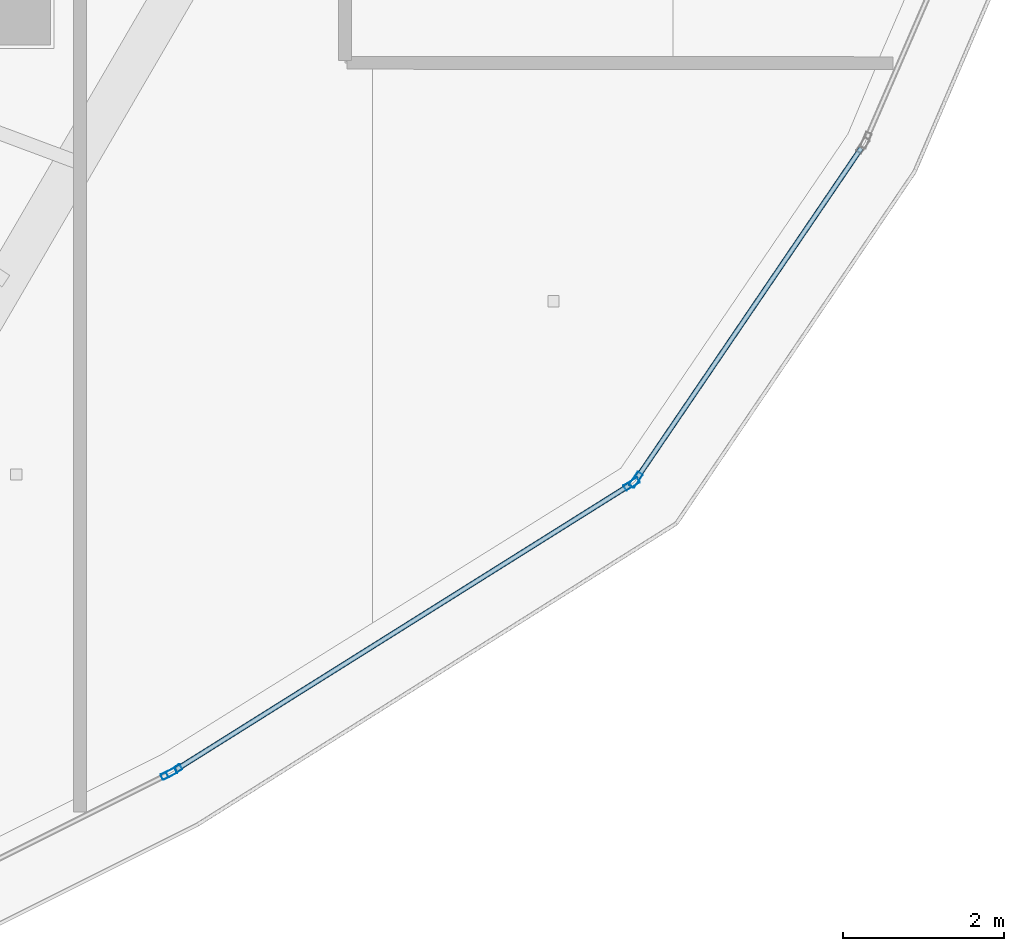
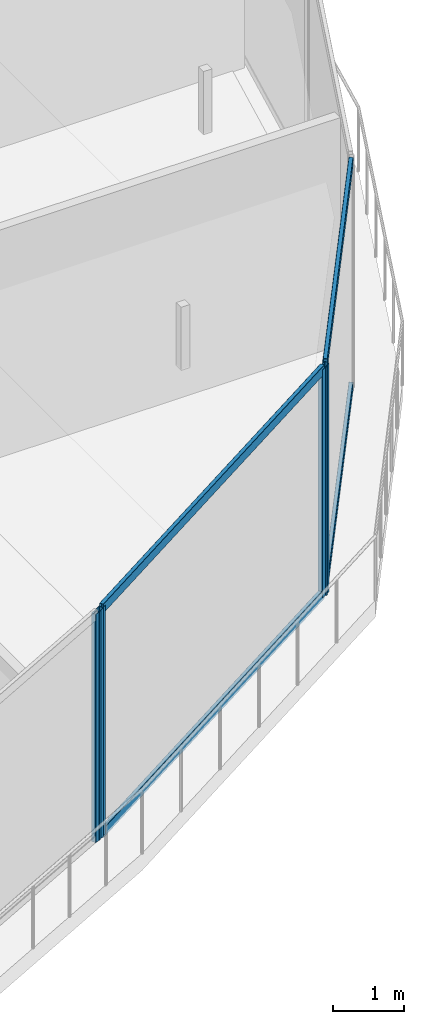
# One storey, part 10 of 30: 8 members, 3 elements without a shape of their own.
"""IFC4 building model written with IfcOpenShell, lengths in metres."""

from ifc_helpers import new_model, si_unit, direction, frame, origin, origin_2d, place, context, subcontext, project, spatial, hollow_rectangle, extrude, material, layer, layer_set, material_profile, profile_set, type_object, element, aggregate, save


model = new_model("IFC4")

# Units and contexts
model_context = context("Model", 3, precision=1e-05, world=origin(), true_north=direction((0.0, 1.0)))
body_context = subcontext(model_context, "Body", "Model", "MODEL_VIEW")
ifc_project = project(units=[si_unit("LENGTHUNIT", "METRE"), si_unit("AREAUNIT", "SQUARE_METRE"), si_unit("VOLUMEUNIT", "CUBIC_METRE"), si_unit("PLANEANGLEUNIT", "RADIAN"), si_unit("MASSUNIT", "GRAM", prefix="KILO")], contexts=[model_context])

# Site, building, storey
site_placement = place(None, origin())
site = spatial("IfcSite", under=ifc_project, at=site_placement, CompositionType="ELEMENT")
building_placement = place(site_placement, origin())
building = spatial("IfcBuilding", under=site, at=building_placement, Name="Qorvath Tower", CompositionType="ELEMENT")
storey_placement = place(building_placement, frame((0.0, 0.0, 301.800048828125)))
storey = spatial("IfcBuildingStorey", under=building, at=storey_placement, Name="L70", CompositionType="ELEMENT", Elevation=301.800048828125)

# Curtain wall, member
ifc_material_1 = material(Name="Anodised aluminium and triple low-E glass", Category="aluminium")
ifc_layer = layer(ifc_material_1, 0.179931640625)
ifc_layer_set = layer_set([ifc_layer], Name="CW-SYS-4")
curtain_wall_type = type_object("IfcCurtainWallType", Name="CW-SYS-4", PredefinedType="NOTDEFINED", material=ifc_layer_set)
curtain_wall_1_placement = place(storey_placement, origin())
curtain_wall_1 = element("IfcCurtainWall", 1, at=curtain_wall_1_placement, inside=storey, type_object=curtain_wall_type, Name="Curtain Wall CW-4 CW-T-L70-3.1", PredefinedType="NOTDEFINED")
ifc_material_2 = material(Name="Anodised aluminium 6063-T6", Category="aluminium")
ifc_material_profile_1 = material_profile(ifc_material_2, hollow_rectangle(XDim=0.074951171875, YDim=0.199951171875, WallThickness=0.00390625, InnerFilletRadius=0.00390625, OuterFilletRadius=0.008056640625, at=origin_2d()), Name="CWM 200x75")
ifc_profile_set_1 = profile_set([ifc_material_profile_1], Name="Anodised aluminium 6063-T6")
member_type_1 = type_object("IfcMemberType", Name="CWM-200", PredefinedType="MULLION", material=ifc_profile_set_1)
member_1_placement = place(storey_placement, frame((-15.33154296875, -20.8857421875, 0.0), z_axis=(0.0, 0.0, 1.0), x_axis=(-0.447213595499, 0.894427191001, 0.0)))
member_1 = element("IfcMember", 2, at=member_1_placement, type_object=member_type_1, Name="CW-4 mullion 2", PredefinedType="MULLION", context=body_context, shape_type="SweptSolid", body=[
    extrude(hollow_rectangle(XDim=0.074951171875, YDim=0.199951171875, WallThickness=0.00390625, InnerFilletRadius=0.00390625, OuterFilletRadius=0.008056640625, at=origin_2d()), origin(), (0.0, 0.0, 1.0), 3.909912109375),
])
aggregate(curtain_wall_1, [member_1])

# Curtain wall, members
curtain_wall_2_placement = place(storey_placement, origin())
curtain_wall_2 = element("IfcCurtainWall", 3, at=curtain_wall_2_placement, inside=storey, type_object=curtain_wall_type, Name="Curtain Wall CW-4 CW-T-L70-4.1", PredefinedType="NOTDEFINED")
member_2_placement = place(storey_placement, frame((-15.266357421875, -20.848876953125, 0.0), z_axis=(0.0, 0.0, 1.0), x_axis=(-0.531381562568, 0.847132595857, 0.0)))
member_2 = element("IfcMember", 4, at=member_2_placement, type_object=member_type_1, Name="CW-4 mullion 1", PredefinedType="MULLION", context=body_context, shape_type="SweptSolid", body=[
    extrude(hollow_rectangle(XDim=0.074951171875, YDim=0.199951171875, WallThickness=0.00390625, InnerFilletRadius=0.00390625, OuterFilletRadius=0.008056640625, at=origin_2d()), origin(), (0.0, 0.0, 1.0), 3.909912109375),
])
member_3_placement = place(storey_placement, frame((-9.593994140625, -17.291015625, 0.0), z_axis=(0.0, 0.0, 1.0), x_axis=(-0.531381562568, 0.847132595857, 0.0)))
member_3 = element("IfcMember", 5, at=member_3_placement, type_object=member_type_1, Name="CW-4 mullion 2", PredefinedType="MULLION", context=body_context, shape_type="SweptSolid", body=[
    extrude(hollow_rectangle(XDim=0.074951171875, YDim=0.199951171875, WallThickness=0.00390625, InnerFilletRadius=0.00390625, OuterFilletRadius=0.008056640625, at=origin_2d()), origin(), (0.0, 0.0, 1.0), 3.909912109375),
])

# Curtain wall, member
curtain_wall_3_placement = place(storey_placement, origin())
curtain_wall_3 = element("IfcCurtainWall", 6, at=curtain_wall_3_placement, inside=storey, type_object=curtain_wall_type, Name="Curtain Wall CW-4 CW-T-L70-5.1", PredefinedType="NOTDEFINED")
member_4_placement = place(storey_placement, frame((-9.541259765625, -17.239990234375, 0.0), z_axis=(0.0, 0.0, 1.0), x_axis=(-0.827119229708, 0.562026493901, 0.0)))
member_4 = element("IfcMember", 7, at=member_4_placement, type_object=member_type_1, Name="CW-4 mullion 1", PredefinedType="MULLION", context=body_context, shape_type="SweptSolid", body=[
    extrude(hollow_rectangle(XDim=0.074951171875, YDim=0.199951171875, WallThickness=0.00390625, InnerFilletRadius=0.00390625, OuterFilletRadius=0.008056640625, at=origin_2d()), origin(), (0.0, 0.0, 1.0), 3.909912109375),
])

# Member
ifc_material_3 = material(Name="Anodised aluminium 6063-T6", Category="aluminium")
ifc_material_profile_2 = material_profile(ifc_material_3, hollow_rectangle(XDim=0.06494140625, YDim=0.159912109375, WallThickness=0.00341796875, InnerFilletRadius=0.00341796875, OuterFilletRadius=0.007080078125, at=origin_2d()), Name="CWT 160x65")
ifc_profile_set_2 = profile_set([ifc_material_profile_2], Name="Anodised aluminium 6063-T6")
member_type_2 = type_object("IfcMemberType", Name="CWT-160", PredefinedType="USERDEFINED", material=ifc_profile_set_2)
member_5_placement = place(storey_placement, frame((-15.234619140625, -20.8291015625, 0.032470703125), z_axis=(0.847131266988, 0.531383681055, 0.0), x_axis=(-0.531383681055, 0.847131266988, 0.0)))
member_5 = element("IfcMember", 8, at=member_5_placement, type_object=member_type_2, Name="CW-4 transom 1.1", ObjectType="TRANSOM", PredefinedType="USERDEFINED", context=body_context, shape_type="SweptSolid", body=[
    extrude(hollow_rectangle(XDim=0.06494140625, YDim=0.159912109375, WallThickness=0.00341796875, InnerFilletRadius=0.00341796875, OuterFilletRadius=0.007080078125, at=origin_2d()), origin(), (0.0, 0.0, 1.0), 6.62109375),
])

member_6_placement = place(storey_placement, frame((-15.234619140625, -20.8291015625, 3.87744140625), z_axis=(0.847131266988, 0.531383681055, 0.0), x_axis=(-0.531383681055, 0.847131266988, 0.0)))
member_6 = element("IfcMember", 9, at=member_6_placement, type_object=member_type_2, Name="CW-4 transom 1.2", ObjectType="TRANSOM", PredefinedType="USERDEFINED", context=body_context, shape_type="SweptSolid", body=[
    extrude(hollow_rectangle(XDim=0.06494140625, YDim=0.159912109375, WallThickness=0.00341796875, InnerFilletRadius=0.00341796875, OuterFilletRadius=0.007080078125, at=origin_2d()), origin(), (0.0, 0.0, 1.0), 6.62109375),
])

aggregate(curtain_wall_2, [member_2, member_3, member_5, member_6])

member_7_placement = place(storey_placement, frame((-9.520263671875, -17.208984375, 0.032470703125), z_axis=(0.562031221311, 0.827116017419, 0.0), x_axis=(-0.827116017419, 0.562031221311, 0.0)))
member_7 = element("IfcMember", 10, at=member_7_placement, type_object=member_type_2, Name="CW-4 transom 1.1", ObjectType="TRANSOM", PredefinedType="USERDEFINED", context=body_context, shape_type="SweptSolid", body=[
    extrude(hollow_rectangle(XDim=0.06494140625, YDim=0.159912109375, WallThickness=0.00341796875, InnerFilletRadius=0.00341796875, OuterFilletRadius=0.007080078125, at=origin_2d()), origin(), (0.0, 0.0, 1.0), 4.9345703125),
])

member_8_placement = place(storey_placement, frame((-9.520263671875, -17.208984375, 3.87744140625), z_axis=(0.562031221311, 0.827116017419, 0.0), x_axis=(-0.827116017419, 0.562031221311, 0.0)))
member_8 = element("IfcMember", 11, at=member_8_placement, type_object=member_type_2, Name="CW-4 transom 1.2", ObjectType="TRANSOM", PredefinedType="USERDEFINED", context=body_context, shape_type="SweptSolid", body=[
    extrude(hollow_rectangle(XDim=0.06494140625, YDim=0.159912109375, WallThickness=0.00341796875, InnerFilletRadius=0.00341796875, OuterFilletRadius=0.007080078125, at=origin_2d()), origin(), (0.0, 0.0, 1.0), 4.9345703125),
])

aggregate(curtain_wall_3, [member_4, member_7, member_8])

save(model, "model.ifc")
